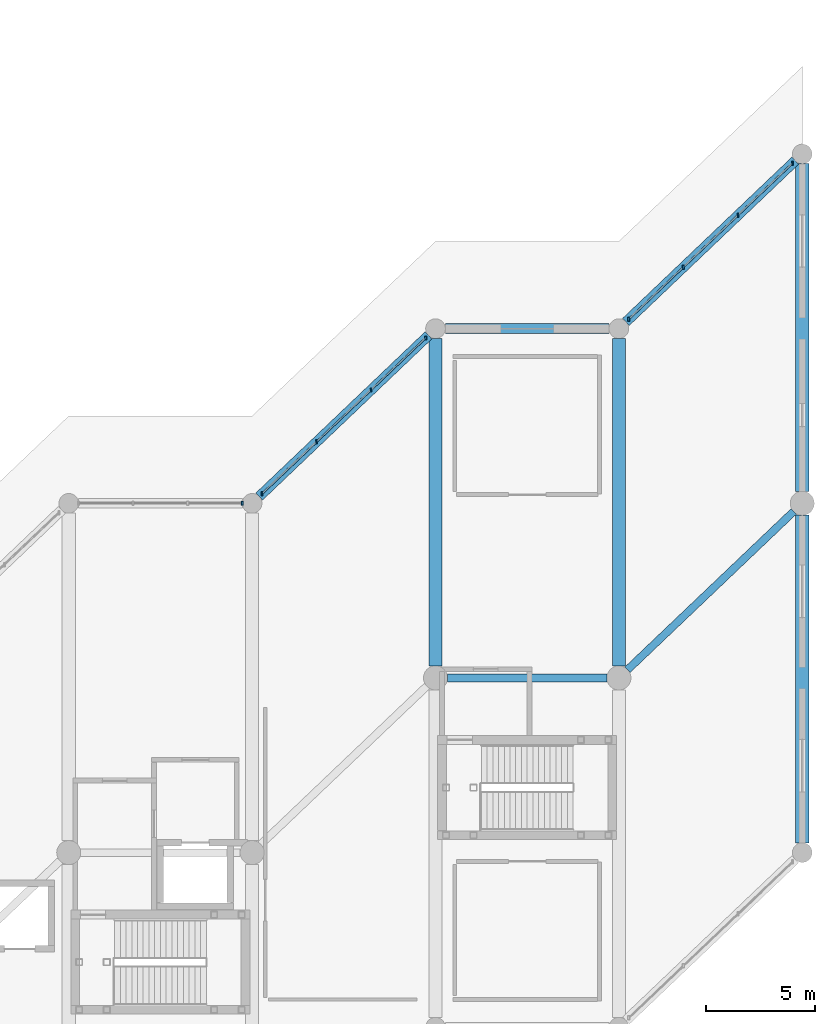
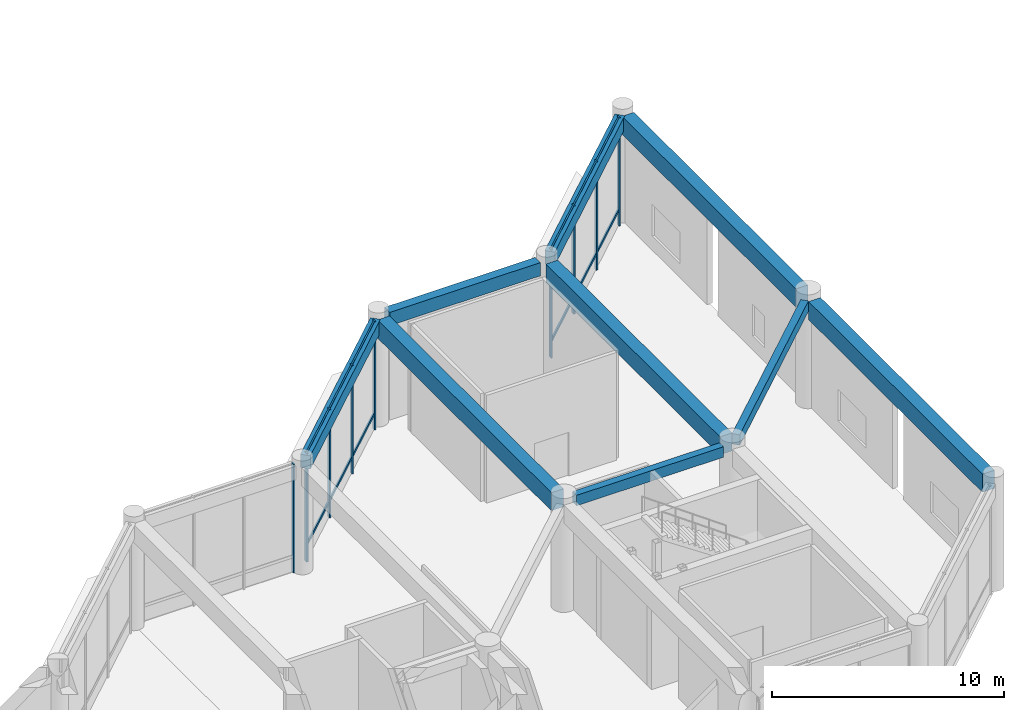
# One storey, part 42 of 76: 21 members, 9 beams, 3 elements without a shape of their own.
"""IFC4 building model written with IfcOpenShell, lengths in metres."""

from ifc_helpers import new_model, si_unit, direction, frame, origin, origin_2d, place, context, subcontext, project, spatial, rectangle, extrude, material, layer, layer_set, material_profile, profile_set, type_object, element, aggregate, save


model = new_model("IFC4")

# Units and contexts
model_context = context("Model", 3, precision=1e-05, world=origin(), true_north=direction((0.0, 1.0)))
body_context = subcontext(model_context, "Body", "Model", "MODEL_VIEW")
ifc_project = project(units=[si_unit("LENGTHUNIT", "METRE"), si_unit("AREAUNIT", "SQUARE_METRE"), si_unit("VOLUMEUNIT", "CUBIC_METRE"), si_unit("PLANEANGLEUNIT", "RADIAN"), si_unit("MASSUNIT", "GRAM", prefix="KILO")], contexts=[model_context])

# Site, building, storey
site_placement = place(None, origin())
site = spatial("IfcSite", under=ifc_project, at=site_placement, CompositionType="ELEMENT")
building_placement = place(site_placement, origin())
building = spatial("IfcBuilding", under=site, at=building_placement, Name="Naruveol Harbour Congress Hotel", CompositionType="ELEMENT")
storey_placement = place(building_placement, origin())
storey = spatial("IfcBuildingStorey", under=building, at=storey_placement, Name="L00", CompositionType="ELEMENT", Elevation=0.0)

# Beams
ifc_material_1 = material(Name="Concrete C40/50", Category="concrete")
ifc_material_profile_1 = material_profile(ifc_material_1, rectangle(XDim=0.60009765625, YDim=0.949951171875, at=origin_2d()), Name="RCB-600x950")
ifc_profile_set_1 = profile_set([ifc_material_profile_1], Name="Concrete C40/50")
beam_type_1 = type_object("IfcBeamType", Name="RC LONG SPAN GIRDER 600X950", PredefinedType="BEAM", material=ifc_profile_set_1)
for number, where, z_axis, x_axis, name in (
    (1, (168.0, 32.5458984375, 5.22509765625), (0.0, 1.0, 0.0), (-1.0, 0.0, 0.0), "Hotel pilotis girder L01 CB1"),
    (2, (176.39990234375, 32.5458984375, 5.22509765625), (0.0, 1.0, 0.0), (-1.0, 0.0, 0.0), "Hotel pilotis girder L01 CB1"),
    (3, (184.800048828125, 24.446044921875, 5.22509765625), (0.0, 1.0, 0.0), (-1.0, 0.0, 0.0), "Hotel pilotis girder L01 CB1"),
    (4, (184.800048828125, 40.5458984375, 5.22509765625), (0.0, 1.0, 0.0), (-1.0, 0.0, 0.0), "Hotel pilotis girder L01 CB1"),
):
    element("IfcBeam", number, at=place(storey_placement, frame(where, z_axis=z_axis, x_axis=x_axis)), inside=storey, type_object=beam_type_1, Name=name, PredefinedType="BEAM", context=body_context, shape_type="SweptSolid", body=[
        extrude(rectangle(XDim=0.60009765625, YDim=0.949951171875, at=origin_2d()), origin(), (0.0, 0.0, 1.0), 15.008056640625),
    ])
ifc_material_2 = material(Name="Concrete C40/50", Category="concrete")
ifc_material_profile_2 = material_profile(ifc_material_2, rectangle(XDim=0.35009765625, YDim=0.550048828125, at=origin_2d()), Name="RCB-350x550")
ifc_profile_set_2 = profile_set([ifc_material_profile_2], Name="Concrete C40/50")
beam_type_2 = type_object("IfcBeamType", Name="RC SECONDARY BEAM 350X550", PredefinedType="JOIST", material=ifc_profile_set_2)
beam_1_placement = place(storey_placement, frame((168.5458984375, 32.0, 5.425048828125), z_axis=(1.0, 0.0, 0.0), x_axis=(0.0, 1.0, 0.0)))
element("IfcBeam", 5, at=beam_1_placement, inside=storey, type_object=beam_type_2, Name="Hotel chord beam L01 CJ1", PredefinedType="JOIST", context=body_context, shape_type="SweptSolid", body=[
    extrude(rectangle(XDim=0.35009765625, YDim=0.550048828125, at=origin_2d()), origin(), (0.0, 0.0, 1.0), 7.30810546875),
])
beam_2_placement = place(storey_placement, frame((176.79541015625, 32.376708984375, 5.425048828125), z_axis=(0.724147876737, 0.689644729275, 0.0), x_axis=(-0.689644729275, 0.724147876737, 0.0)))
element("IfcBeam", 6, at=beam_2_placement, inside=storey, type_object=beam_type_2, Name="Hotel chord beam L01 CJ1", PredefinedType="JOIST", context=body_context, shape_type="SweptSolid", body=[
    extrude(rectangle(XDim=0.35009765625, YDim=0.550048828125, at=origin_2d()), origin(), (0.0, 0.0, 1.0), 10.5078125),
])
ifc_material_3 = material(Name="Concrete C40/50", Category="concrete")
ifc_material_profile_3 = material_profile(ifc_material_3, rectangle(XDim=0.449951171875, YDim=0.699951171875, at=origin_2d()), Name="RCB-450x700")
ifc_profile_set_3 = profile_set([ifc_material_profile_3], Name="Concrete C40/50")
beam_type_3 = type_object("IfcBeamType", Name="RC SPANDREL BEAM 450X700", PredefinedType="SPANDREL", material=ifc_profile_set_3)
beam_3_placement = place(storey_placement, frame((159.923095703125, 40.3076171875, 5.35009765625), z_axis=(0.724133593293, 0.689659727013, 0.0), x_axis=(-0.689659727013, 0.724133593293, 0.0)))
element("IfcBeam", 7, at=beam_3_placement, inside=storey, type_object=beam_type_3, Name="Hotel chord beam L01 SPB1", PredefinedType="SPANDREL", context=body_context, shape_type="SweptSolid", body=[
    extrude(rectangle(XDim=0.449951171875, YDim=0.699951171875, at=origin_2d()), origin(), (0.0, 0.0, 1.0), 10.707763671875),
])
beam_4_placement = place(storey_placement, frame((168.446044921875, 48.0, 5.35009765625), z_axis=(1.0, 0.0, 0.0), x_axis=(0.0, 1.0, 0.0)))
element("IfcBeam", 8, at=beam_4_placement, inside=storey, type_object=beam_type_3, Name="Hotel chord beam L01 SPB1", PredefinedType="SPANDREL", context=body_context, shape_type="SweptSolid", body=[
    extrude(rectangle(XDim=0.449951171875, YDim=0.699951171875, at=origin_2d()), origin(), (0.0, 0.0, 1.0), 7.508056640625),
])
beam_5_placement = place(storey_placement, frame((176.722900390625, 48.3076171875, 5.35009765625), z_axis=(0.724144437485, 0.689648340576, 0.0), x_axis=(-0.689648340576, 0.724144437485, 0.0)))
element("IfcBeam", 9, at=beam_5_placement, inside=storey, type_object=beam_type_3, Name="Hotel chord beam L01 SPB1", PredefinedType="SPANDREL", context=body_context, shape_type="SweptSolid", body=[
    extrude(rectangle(XDim=0.449951171875, YDim=0.699951171875, at=origin_2d()), origin(), (0.0, 0.0, 1.0), 10.7080078125),
])

# Curtain wall, member
ifc_material_4 = material(Name="Low-E Curtain Wall System", Category="glass")
ifc_layer_1 = layer(ifc_material_4, 0.179931640625)
ifc_layer_set_1 = layer_set([ifc_layer_1], Name="Low-E Curtain Wall System")
curtain_wall_type_1 = type_object("IfcCurtainWallType", Name="UNITISED CURTAIN WALL CW-V5N-47 7500X5720", PredefinedType="USERDEFINED", material=ifc_layer_set_1)
curtain_wall_1_placement = place(storey_placement, origin())
curtain_wall_1 = element("IfcCurtainWall", 10, at=curtain_wall_1_placement, inside=storey, type_object=curtain_wall_type_1, Name="Unitised curtain wall CW-V5N-47 L00", ObjectType="UNITISED GLAZING", PredefinedType="USERDEFINED")
ifc_material_5 = material(Name="Anodised Aluminium 6063-T6", Category="aluminium")
ifc_material_profile_4 = material_profile(ifc_material_5, rectangle(XDim=0.074951171875, YDim=0.179931640625, at=origin_2d()), Name="ALU-75x180")
ifc_profile_set_4 = profile_set([ifc_material_profile_4], Name="Anodised Aluminium 6063-T6")
member_type_1 = type_object("IfcMemberType", Name="THERMAL ALUMINIUM MULLION 75X180", PredefinedType="MULLION", material=ifc_profile_set_4)
member_1_placement = place(storey_placement, frame((159.14990234375, 40.0, 0.0), z_axis=(0.0, 0.0, 1.0), x_axis=(1.0, 0.0, 0.0)))
member_1 = element("IfcMember", 11, at=member_1_placement, type_object=member_type_1, Name="Curtain wall mullion CW-L00-0131-M3", PredefinedType="MULLION", context=body_context, shape_type="SweptSolid", body=[
    extrude(rectangle(XDim=0.074951171875, YDim=0.179931640625, at=origin_2d()), origin(), (0.0, 0.0, 1.0), 5.719970703125),
])
aggregate(curtain_wall_1, [member_1])

# Curtain wall, members
ifc_material_6 = material(Name="Low-E Curtain Wall System", Category="glass")
ifc_layer_2 = layer(ifc_material_6, 0.179931640625)
ifc_layer_set_2 = layer_set([ifc_layer_2], Name="Low-E Curtain Wall System")
curtain_wall_type_2 = type_object("IfcCurtainWallType", Name="UNITISED CURTAIN WALL CW-V5N-49 10357X5720", PredefinedType="USERDEFINED", material=ifc_layer_set_2)
curtain_wall_2_placement = place(storey_placement, origin())
curtain_wall_2 = element("IfcCurtainWall", 12, at=curtain_wall_2_placement, inside=storey, type_object=curtain_wall_type_2, Name="Unitised curtain wall CW-V5N-49 L00", ObjectType="UNITISED GLAZING", PredefinedType="USERDEFINED")
member_2_placement = place(storey_placement, frame((160.050048828125, 40.428955078125, 0.0), z_axis=(0.0, 0.0, 1.0), x_axis=(1.0, 0.0, 0.0)))
member_2 = element("IfcMember", 13, at=member_2_placement, type_object=member_type_1, Name="Curtain wall mullion CW-L00-0132-M0", PredefinedType="MULLION", context=body_context, shape_type="SweptSolid", body=[
    extrude(rectangle(XDim=0.074951171875, YDim=0.179931640625, at=origin_2d()), origin(), (0.0, 0.0, 1.0), 5.719970703125),
])
member_3_placement = place(storey_placement, frame((162.550048828125, 42.809814453125, 0.0), z_axis=(0.0, 0.0, 1.0), x_axis=(1.0, 0.0, 0.0)))
member_3 = element("IfcMember", 14, at=member_3_placement, type_object=member_type_1, Name="Curtain wall mullion CW-L00-0132-M1", PredefinedType="MULLION", context=body_context, shape_type="SweptSolid", body=[
    extrude(rectangle(XDim=0.074951171875, YDim=0.179931640625, at=origin_2d()), origin(), (0.0, 0.0, 1.0), 5.719970703125),
])
member_4_placement = place(storey_placement, frame((165.050048828125, 45.190185546875, 0.0), z_axis=(0.0, 0.0, 1.0), x_axis=(1.0, 0.0, 0.0)))
member_4 = element("IfcMember", 15, at=member_4_placement, type_object=member_type_1, Name="Curtain wall mullion CW-L00-0132-M2", PredefinedType="MULLION", context=body_context, shape_type="SweptSolid", body=[
    extrude(rectangle(XDim=0.074951171875, YDim=0.179931640625, at=origin_2d()), origin(), (0.0, 0.0, 1.0), 5.719970703125),
])
member_5_placement = place(storey_placement, frame((167.550048828125, 47.571044921875, 0.0), z_axis=(0.0, 0.0, 1.0), x_axis=(1.0, 0.0, 0.0)))
member_5 = element("IfcMember", 16, at=member_5_placement, type_object=member_type_1, Name="Curtain wall mullion CW-L00-0132-M3", PredefinedType="MULLION", context=body_context, shape_type="SweptSolid", body=[
    extrude(rectangle(XDim=0.074951171875, YDim=0.179931640625, at=origin_2d()), origin(), (0.0, 0.0, 1.0), 5.719970703125),
])

curtain_wall_3_placement = place(storey_placement, origin())
curtain_wall_3 = element("IfcCurtainWall", 17, at=curtain_wall_3_placement, inside=storey, type_object=curtain_wall_type_2, Name="Unitised curtain wall CW-V5N-49 L00", ObjectType="UNITISED GLAZING", PredefinedType="USERDEFINED")
member_6_placement = place(storey_placement, frame((176.85009765625, 48.428955078125, 0.0), z_axis=(0.0, 0.0, 1.0), x_axis=(1.0, 0.0, 0.0)))
member_6 = element("IfcMember", 18, at=member_6_placement, type_object=member_type_1, Name="Curtain wall mullion CW-L00-0135-M0", PredefinedType="MULLION", context=body_context, shape_type="SweptSolid", body=[
    extrude(rectangle(XDim=0.074951171875, YDim=0.179931640625, at=origin_2d()), origin(), (0.0, 0.0, 1.0), 5.719970703125),
])
member_7_placement = place(storey_placement, frame((179.35009765625, 50.809814453125, 0.0), z_axis=(0.0, 0.0, 1.0), x_axis=(1.0, 0.0, 0.0)))
member_7 = element("IfcMember", 19, at=member_7_placement, type_object=member_type_1, Name="Curtain wall mullion CW-L00-0135-M1", PredefinedType="MULLION", context=body_context, shape_type="SweptSolid", body=[
    extrude(rectangle(XDim=0.074951171875, YDim=0.179931640625, at=origin_2d()), origin(), (0.0, 0.0, 1.0), 5.719970703125),
])
member_8_placement = place(storey_placement, frame((181.85009765625, 53.190185546875, 0.0), z_axis=(0.0, 0.0, 1.0), x_axis=(1.0, 0.0, 0.0)))
member_8 = element("IfcMember", 20, at=member_8_placement, type_object=member_type_1, Name="Curtain wall mullion CW-L00-0135-M2", PredefinedType="MULLION", context=body_context, shape_type="SweptSolid", body=[
    extrude(rectangle(XDim=0.074951171875, YDim=0.179931640625, at=origin_2d()), origin(), (0.0, 0.0, 1.0), 5.719970703125),
])
member_9_placement = place(storey_placement, frame((184.35009765625, 55.571044921875, 0.0), z_axis=(0.0, 0.0, 1.0), x_axis=(1.0, 0.0, 0.0)))
member_9 = element("IfcMember", 21, at=member_9_placement, type_object=member_type_1, Name="Curtain wall mullion CW-L00-0135-M3", PredefinedType="MULLION", context=body_context, shape_type="SweptSolid", body=[
    extrude(rectangle(XDim=0.074951171875, YDim=0.179931640625, at=origin_2d()), origin(), (0.0, 0.0, 1.0), 5.719970703125),
])

# Member
ifc_material_7 = material(Name="Anodised Aluminium 6063-T6", Category="aluminium")
ifc_material_profile_5 = material_profile(ifc_material_7, rectangle(XDim=0.074951171875, YDim=0.14990234375, at=origin_2d()), Name="ALU-75x150")
ifc_profile_set_5 = profile_set([ifc_material_profile_5], Name="Anodised Aluminium 6063-T6")
member_type_2 = type_object("IfcMemberType", Name="THERMAL ALUMINIUM TRANSOM 75X150", PredefinedType="USERDEFINED", material=ifc_profile_set_5)
member_10_placement = place(storey_placement, frame((160.0791015625, 40.45654296875, 0.85009765625), z_axis=(0.7241637576, 0.689628053503, 0.0), x_axis=(-0.689628053503, 0.7241637576, 0.0)))
member_10 = element("IfcMember", 22, at=member_10_placement, type_object=member_type_2, Name="Curtain wall transom CW-L00-0132-T0.1", ObjectType="TRANSOM", PredefinedType="USERDEFINED", context=body_context, shape_type="SweptSolid", body=[
    extrude(rectangle(XDim=0.074951171875, YDim=0.14990234375, at=origin_2d()), origin(), (0.0, 0.0, 1.0), 3.3720703125),
])

member_11_placement = place(storey_placement, frame((160.0791015625, 40.45654296875, 5.639892578125), z_axis=(0.7241637576, 0.689628053503, 0.0), x_axis=(-0.689628053503, 0.7241637576, 0.0)))
member_11 = element("IfcMember", 23, at=member_11_placement, type_object=member_type_2, Name="Curtain wall transom CW-L00-0132-T0.2", ObjectType="TRANSOM", PredefinedType="USERDEFINED", context=body_context, shape_type="SweptSolid", body=[
    extrude(rectangle(XDim=0.074951171875, YDim=0.14990234375, at=origin_2d()), origin(), (0.0, 0.0, 1.0), 3.3720703125),
])

member_12_placement = place(storey_placement, frame((162.5791015625, 42.837158203125, 0.85009765625), z_axis=(0.72412760064, 0.689666019166, 0.0), x_axis=(-0.689666019166, 0.72412760064, 0.0)))
member_12 = element("IfcMember", 24, at=member_12_placement, type_object=member_type_2, Name="Curtain wall transom CW-L00-0132-T1.1", ObjectType="TRANSOM", PredefinedType="USERDEFINED", context=body_context, shape_type="SweptSolid", body=[
    extrude(rectangle(XDim=0.074951171875, YDim=0.14990234375, at=origin_2d()), origin(), (0.0, 0.0, 1.0), 3.3720703125),
])

member_13_placement = place(storey_placement, frame((162.5791015625, 42.837158203125, 5.639892578125), z_axis=(0.72412760064, 0.689666019166, 0.0), x_axis=(-0.689666019166, 0.72412760064, 0.0)))
member_13 = element("IfcMember", 25, at=member_13_placement, type_object=member_type_2, Name="Curtain wall transom CW-L00-0132-T1.2", ObjectType="TRANSOM", PredefinedType="USERDEFINED", context=body_context, shape_type="SweptSolid", body=[
    extrude(rectangle(XDim=0.074951171875, YDim=0.14990234375, at=origin_2d()), origin(), (0.0, 0.0, 1.0), 3.3720703125),
])

member_14_placement = place(storey_placement, frame((165.0791015625, 45.218017578125, 0.85009765625), z_axis=(0.7241637576, 0.689628053503, 0.0), x_axis=(-0.689628053503, 0.7241637576, 0.0)))
member_14 = element("IfcMember", 26, at=member_14_placement, type_object=member_type_2, Name="Curtain wall transom CW-L00-0132-T2.1", ObjectType="TRANSOM", PredefinedType="USERDEFINED", context=body_context, shape_type="SweptSolid", body=[
    extrude(rectangle(XDim=0.074951171875, YDim=0.14990234375, at=origin_2d()), origin(), (0.0, 0.0, 1.0), 3.3720703125),
])

member_15_placement = place(storey_placement, frame((165.0791015625, 45.218017578125, 5.639892578125), z_axis=(0.7241637576, 0.689628053503, 0.0), x_axis=(-0.689628053503, 0.7241637576, 0.0)))
member_15 = element("IfcMember", 27, at=member_15_placement, type_object=member_type_2, Name="Curtain wall transom CW-L00-0132-T2.2", ObjectType="TRANSOM", PredefinedType="USERDEFINED", context=body_context, shape_type="SweptSolid", body=[
    extrude(rectangle(XDim=0.074951171875, YDim=0.14990234375, at=origin_2d()), origin(), (0.0, 0.0, 1.0), 3.3720703125),
])

aggregate(curtain_wall_2, [member_2, member_3, member_4, member_5, member_10, member_11, member_12, member_13, member_14, member_15])

member_16_placement = place(storey_placement, frame((176.87890625, 48.45654296875, 0.85009765625), z_axis=(0.724198188282, 0.689591896769, 0.0), x_axis=(-0.689591896769, 0.724198188282, 0.0)))
member_16 = element("IfcMember", 28, at=member_16_placement, type_object=member_type_2, Name="Curtain wall transom CW-L00-0135-T0.1", ObjectType="TRANSOM", PredefinedType="USERDEFINED", context=body_context, shape_type="SweptSolid", body=[
    extrude(rectangle(XDim=0.074951171875, YDim=0.14990234375, at=origin_2d()), origin(), (0.0, 0.0, 1.0), 3.372314453125),
])

member_17_placement = place(storey_placement, frame((176.87890625, 48.45654296875, 5.639892578125), z_axis=(0.724198188282, 0.689591896769, 0.0), x_axis=(-0.689591896769, 0.724198188282, 0.0)))
member_17 = element("IfcMember", 29, at=member_17_placement, type_object=member_type_2, Name="Curtain wall transom CW-L00-0135-T0.2", ObjectType="TRANSOM", PredefinedType="USERDEFINED", context=body_context, shape_type="SweptSolid", body=[
    extrude(rectangle(XDim=0.074951171875, YDim=0.14990234375, at=origin_2d()), origin(), (0.0, 0.0, 1.0), 3.372314453125),
])

member_18_placement = place(storey_placement, frame((179.37890625, 50.837158203125, 0.85009765625), z_axis=(0.724162033393, 0.689629864051, 0.0), x_axis=(-0.689629864051, 0.724162033393, 0.0)))
member_18 = element("IfcMember", 30, at=member_18_placement, type_object=member_type_2, Name="Curtain wall transom CW-L00-0135-T1.1", ObjectType="TRANSOM", PredefinedType="USERDEFINED", context=body_context, shape_type="SweptSolid", body=[
    extrude(rectangle(XDim=0.074951171875, YDim=0.14990234375, at=origin_2d()), origin(), (0.0, 0.0, 1.0), 3.372314453125),
])

member_19_placement = place(storey_placement, frame((179.37890625, 50.837158203125, 5.639892578125), z_axis=(0.724162033393, 0.689629864051, 0.0), x_axis=(-0.689629864051, 0.724162033393, 0.0)))
member_19 = element("IfcMember", 31, at=member_19_placement, type_object=member_type_2, Name="Curtain wall transom CW-L00-0135-T1.2", ObjectType="TRANSOM", PredefinedType="USERDEFINED", context=body_context, shape_type="SweptSolid", body=[
    extrude(rectangle(XDim=0.074951171875, YDim=0.14990234375, at=origin_2d()), origin(), (0.0, 0.0, 1.0), 3.372314453125),
])

member_20_placement = place(storey_placement, frame((181.87890625, 53.218017578125, 0.85009765625), z_axis=(0.724198188282, 0.689591896769, 0.0), x_axis=(-0.689591896769, 0.724198188282, 0.0)))
member_20 = element("IfcMember", 32, at=member_20_placement, type_object=member_type_2, Name="Curtain wall transom CW-L00-0135-T2.1", ObjectType="TRANSOM", PredefinedType="USERDEFINED", context=body_context, shape_type="SweptSolid", body=[
    extrude(rectangle(XDim=0.074951171875, YDim=0.14990234375, at=origin_2d()), origin(), (0.0, 0.0, 1.0), 3.372314453125),
])

member_21_placement = place(storey_placement, frame((181.87890625, 53.218017578125, 5.639892578125), z_axis=(0.724198188282, 0.689591896769, 0.0), x_axis=(-0.689591896769, 0.724198188282, 0.0)))
member_21 = element("IfcMember", 33, at=member_21_placement, type_object=member_type_2, Name="Curtain wall transom CW-L00-0135-T2.2", ObjectType="TRANSOM", PredefinedType="USERDEFINED", context=body_context, shape_type="SweptSolid", body=[
    extrude(rectangle(XDim=0.074951171875, YDim=0.14990234375, at=origin_2d()), origin(), (0.0, 0.0, 1.0), 3.372314453125),
])

aggregate(curtain_wall_3, [member_6, member_7, member_8, member_9, member_16, member_17, member_18, member_19, member_20, member_21])

save(model, "model.ifc")
